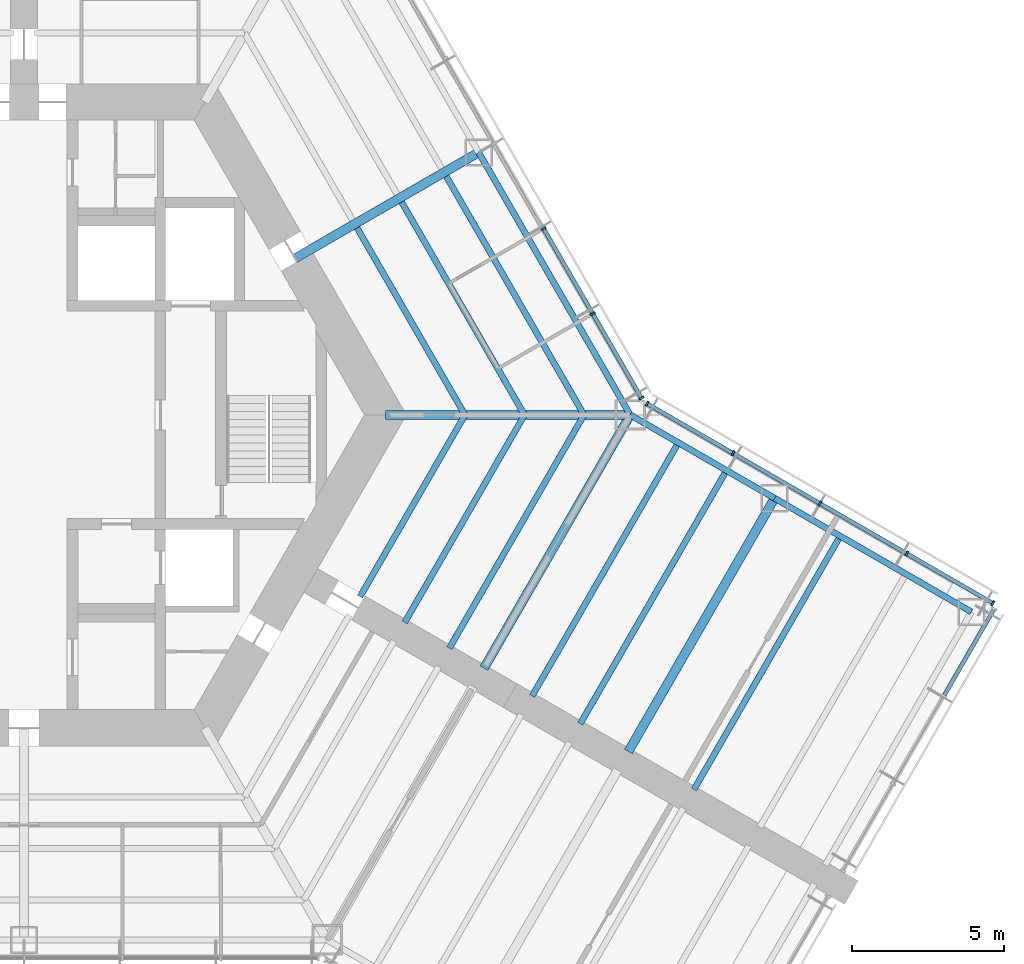
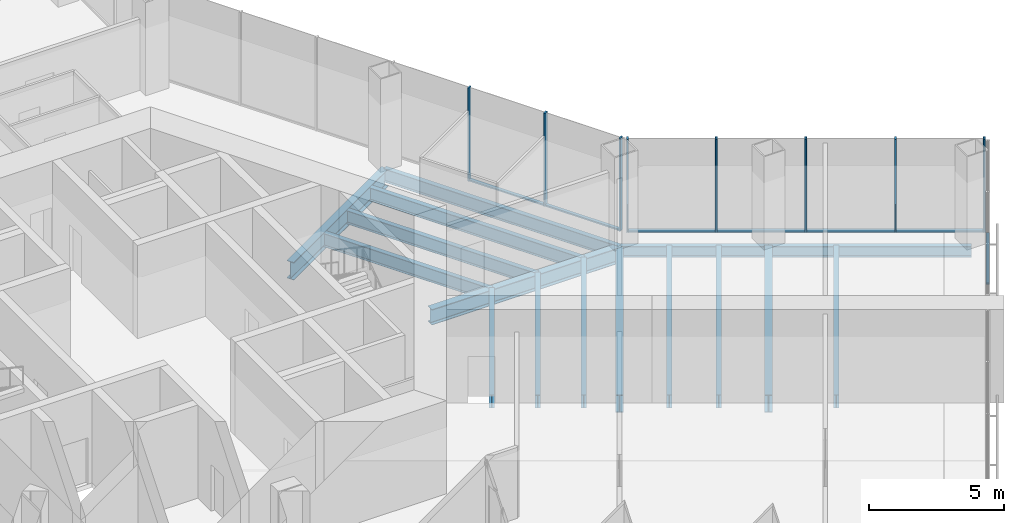
# One storey, part 5 of 16: 16 beams, 15 members, 3 elements without a shape of their own.
"""IFC4 building model written with IfcOpenShell, lengths in metres."""

from ifc_helpers import new_model, si_unit, direction, frame, origin, origin_2d, place, context, subcontext, project, spatial, rectangle, i_section, extrude, material, material_profile, profile_set, type_object, element, aggregate, save


model = new_model("IFC4")

# Units and contexts
model_context = context("Model", 3, precision=1e-05, world=origin(), true_north=direction((0.0, 1.0)))
body_context = subcontext(model_context, "Body", "Model", "MODEL_VIEW")
ifc_project = project(units=[si_unit("LENGTHUNIT", "METRE"), si_unit("AREAUNIT", "SQUARE_METRE"), si_unit("VOLUMEUNIT", "CUBIC_METRE"), si_unit("PLANEANGLEUNIT", "RADIAN"), si_unit("MASSUNIT", "GRAM", prefix="KILO")], contexts=[model_context])

# Site, building, storey
site_placement = place(None, origin())
site = spatial("IfcSite", under=ifc_project, at=site_placement, CompositionType="ELEMENT")
building_placement = place(site_placement, origin())
building = spatial("IfcBuilding", under=site, at=building_placement, Name="Kasaneha Research Tower", CompositionType="ELEMENT")
storey_placement = place(building_placement, frame((0.0, 0.0, 22.60009765625)))
storey = spatial("IfcBuildingStorey", under=building, at=storey_placement, Name="L06", CompositionType="ELEMENT", Elevation=22.60009765625)

# Beams
ifc_material_1 = material(Name="Steel SN490B", Category="steel")
ifc_material_profile_1 = material_profile(ifc_material_1, i_section(OverallWidth=0.199951171875, OverallDepth=0.60009765625, WebThickness=0.010986328125, FlangeThickness=0.01708984375, FilletRadius=0.012939453125, at=origin_2d()), Name="H-600x200x11x17")
ifc_profile_set_1 = profile_set([ifc_material_profile_1], Name="Steel SN490B")
beam_type_1 = type_object("IfcBeamType", Name="B1-1 secondary beam H-600x200x11x17", PredefinedType="JOIST", material=ifc_profile_set_1)
beam_1_placement = place(storey_placement, frame((14.54931640625, 0.0, -0.5), z_axis=(-0.500016104636, 0.866016105569, 0.0), x_axis=(-0.866016105569, -0.500016104636, 0.0)))
element("IfcBeam", 1, at=beam_1_placement, inside=storey, type_object=beam_type_1, Name="Secondary beam RS030L1 L06", PredefinedType="JOIST", context=body_context, shape_type="SweptSolid", body=[
    extrude(i_section(OverallWidth=0.199951171875, OverallDepth=0.60009765625, WebThickness=0.010986328125, FlangeThickness=0.01708984375, FilletRadius=0.012939453125, at=origin_2d()), origin(), (0.0, 0.0, 1.0), 7.124755859375),
])
beam_2_placement = place(storey_placement, frame((16.51220703125, 0.0, -0.5), z_axis=(-0.49999707157, 0.866027094508, 0.0), x_axis=(-0.866027094508, -0.49999707157, 0.0)))
element("IfcBeam", 2, at=beam_2_placement, inside=storey, type_object=beam_type_1, Name="Secondary beam RS030L2 L06", PredefinedType="JOIST", context=body_context, shape_type="SweptSolid", body=[
    extrude(i_section(OverallWidth=0.199951171875, OverallDepth=0.60009765625, WebThickness=0.010986328125, FlangeThickness=0.01708984375, FilletRadius=0.012939453125, at=origin_2d()), origin(), (0.0, 0.0, 1.0), 8.10595703125),
])
beam_3_placement = place(storey_placement, frame((18.47509765625, 0.0, -0.5), z_axis=(-0.499990665392, 0.866030793056, 0.0), x_axis=(-0.866030793056, -0.499990665392, 0.0)))
element("IfcBeam", 3, at=beam_3_placement, inside=storey, type_object=beam_type_1, Name="Secondary beam RS030L3 L06", PredefinedType="JOIST", context=body_context, shape_type="SweptSolid", body=[
    extrude(i_section(OverallWidth=0.199951171875, OverallDepth=0.60009765625, WebThickness=0.010986328125, FlangeThickness=0.01708984375, FilletRadius=0.012939453125, at=origin_2d()), origin(), (0.0, 0.0, 1.0), 9.087646484375),
])
beam_4_placement = place(storey_placement, frame((14.54931640625, 0.0, -0.5), z_axis=(-0.500014420154, -0.866017078145, 0.0), x_axis=(0.866017078145, -0.500014420154, 0.0)))
element("IfcBeam", 4, at=beam_4_placement, inside=storey, type_object=beam_type_1, Name="Secondary beam RS330R1 L06", PredefinedType="JOIST", context=body_context, shape_type="SweptSolid", body=[
    extrude(i_section(OverallWidth=0.199951171875, OverallDepth=0.60009765625, WebThickness=0.010986328125, FlangeThickness=0.01708984375, FilletRadius=0.012939453125, at=origin_2d()), origin(), (0.0, 0.0, 1.0), 6.924560546875),
])
beam_5_placement = place(storey_placement, frame((16.51220703125, 0.0, -0.5), z_axis=(-0.500004902938, -0.866022573054, 0.0), x_axis=(0.866022573054, -0.500004902938, 0.0)))
element("IfcBeam", 5, at=beam_5_placement, inside=storey, type_object=beam_type_1, Name="Secondary beam RS330R2 L06", PredefinedType="JOIST", context=body_context, shape_type="SweptSolid", body=[
    extrude(i_section(OverallWidth=0.199951171875, OverallDepth=0.60009765625, WebThickness=0.010986328125, FlangeThickness=0.01708984375, FilletRadius=0.012939453125, at=origin_2d()), origin(), (0.0, 0.0, 1.0), 7.90625),
])
beam_6_placement = place(storey_placement, frame((18.47509765625, 0.0, -0.5), z_axis=(-0.499988779951, -0.866031881586, 0.0), x_axis=(0.866031881586, -0.499988779951, 0.0)))
element("IfcBeam", 6, at=beam_6_placement, inside=storey, type_object=beam_type_1, Name="Secondary beam RS330R3 L06", PredefinedType="JOIST", context=body_context, shape_type="SweptSolid", body=[
    extrude(i_section(OverallWidth=0.199951171875, OverallDepth=0.60009765625, WebThickness=0.010986328125, FlangeThickness=0.01708984375, FilletRadius=0.012939453125, at=origin_2d()), origin(), (0.0, 0.0, 1.0), 8.887451171875),
])
ifc_material_2 = material(Name="Steel SN490B", Category="steel")
ifc_material_profile_2 = material_profile(ifc_material_2, i_section(OverallWidth=0.198974609375, OverallDepth=0.595947265625, WebThickness=0.010009765625, FlangeThickness=0.014892578125, FilletRadius=0.012939453125, at=origin_2d()), Name="H-596x199x10x15")
ifc_profile_set_2 = profile_set([ifc_material_profile_2], Name="Steel SN490B")
beam_type_2 = type_object("IfcBeamType", Name="B2-1 secondary beam H-596x199x10x15", PredefinedType="JOIST", material=ifc_profile_set_2)
beam_7_placement = place(storey_placement, frame((21.587646484375, -0.916748046875, -0.498046875), z_axis=(-0.499994742786, -0.866028439017, 0.0), x_axis=(0.866028439017, -0.499994742786, 0.0)))
element("IfcBeam", 7, at=beam_7_placement, inside=storey, type_object=beam_type_2, Name="Secondary beam WBCN1 L06", PredefinedType="JOIST", context=body_context, shape_type="SweptSolid", body=[
    extrude(i_section(OverallWidth=0.198974609375, OverallDepth=0.595947265625, WebThickness=0.010009765625, FlangeThickness=0.014892578125, FilletRadius=0.012939453125, at=origin_2d()), origin(), (0.0, 0.0, 1.0), 9.64990234375),
])
beam_8_placement = place(storey_placement, frame((23.175537109375, -1.833251953125, -0.498046875), z_axis=(-0.500013717211, -0.866017484004, 0.0), x_axis=(0.866017484004, -0.500013717211, 0.0)))
element("IfcBeam", 8, at=beam_8_placement, inside=storey, type_object=beam_type_2, Name="Secondary beam WBCN2 L06", PredefinedType="JOIST", context=body_context, shape_type="SweptSolid", body=[
    extrude(i_section(OverallWidth=0.198974609375, OverallDepth=0.595947265625, WebThickness=0.010009765625, FlangeThickness=0.014892578125, FilletRadius=0.012939453125, at=origin_2d()), origin(), (0.0, 0.0, 1.0), 9.650146484375),
])
beam_9_placement = place(storey_placement, frame((26.92822265625, -4.0, -0.498046875), z_axis=(-0.499994742786, -0.866028439017, 0.0), x_axis=(0.866028439017, -0.499994742786, 0.0)))
element("IfcBeam", 9, at=beam_9_placement, inside=storey, type_object=beam_type_2, Name="Secondary beam WBCN3 L06", PredefinedType="JOIST", context=body_context, shape_type="SweptSolid", body=[
    extrude(i_section(OverallWidth=0.198974609375, OverallDepth=0.595947265625, WebThickness=0.010009765625, FlangeThickness=0.014892578125, FilletRadius=0.012939453125, at=origin_2d()), origin(), (0.0, 0.0, 1.0), 9.64990234375),
])

# Curtain wall, members
ifc_material_3 = material(Name="Glass and aluminium", Category="aluminium")
curtain_wall_type = type_object("IfcCurtainWallType", Name="Wet laboratory curtain wall", PredefinedType="USERDEFINED", material=ifc_material_3)
curtain_wall_1_placement = place(storey_placement, origin())
curtain_wall_1 = element("IfcCurtainWall", 10, at=curtain_wall_1_placement, inside=storey, type_object=curtain_wall_type, Name="CW-L1 L06 run 06a", ObjectType="UNITISED CURTAIN WALL", PredefinedType="USERDEFINED")
ifc_material_4 = material(Name="Aluminium 6063-T6", Category="aluminium")
ifc_material_profile_3 = material_profile(ifc_material_4, rectangle(XDim=0.06494140625, YDim=0.179931640625, at=origin_2d()), Name="CW-L1 mullion 65x180")
ifc_profile_set_3 = profile_set([ifc_material_profile_3], Name="Aluminium 6063-T6")
member_type_1 = type_object("IfcMemberType", Name="CW-L1 mullion", PredefinedType="MULLION", material=ifc_profile_set_3)
member_1_placement = place(storey_placement, frame((31.963134765625, -6.214111328125, 0.0), z_axis=(0.0, 0.0, 1.0), x_axis=(-0.866025411464, 0.499999986699, 0.0)))
member_1 = element("IfcMember", 11, at=member_1_placement, type_object=member_type_1, Name="CW-L1 mullion 1", PredefinedType="MULLION", context=body_context, shape_type="SweptSolid", body=[
    extrude(rectangle(XDim=0.06494140625, YDim=0.179931640625, at=origin_2d()), origin(), (0.0, 0.0, 1.0), 4.199951171875),
])
member_2_placement = place(storey_placement, frame((29.125, -4.575439453125, 0.0), z_axis=(0.0, 0.0, 1.0), x_axis=(-0.866025411464, 0.499999986699, 0.0)))
member_2 = element("IfcMember", 12, at=member_2_placement, type_object=member_type_1, Name="CW-L1 mullion 2", PredefinedType="MULLION", context=body_context, shape_type="SweptSolid", body=[
    extrude(rectangle(XDim=0.06494140625, YDim=0.179931640625, at=origin_2d()), origin(), (0.0, 0.0, 1.0), 4.199951171875),
])
member_3_placement = place(storey_placement, frame((26.258544921875, -2.920654296875, 0.0), z_axis=(0.0, 0.0, 1.0), x_axis=(-0.866025411464, 0.499999986699, 0.0)))
member_3 = element("IfcMember", 13, at=member_3_placement, type_object=member_type_1, Name="CW-L1 mullion 3", PredefinedType="MULLION", context=body_context, shape_type="SweptSolid", body=[
    extrude(rectangle(XDim=0.06494140625, YDim=0.179931640625, at=origin_2d()), origin(), (0.0, 0.0, 1.0), 4.199951171875),
])
member_4_placement = place(storey_placement, frame((23.39208984375, -1.265625, 0.0), z_axis=(0.0, 0.0, 1.0), x_axis=(-0.866025411464, 0.499999986699, 0.0)))
member_4 = element("IfcMember", 14, at=member_4_placement, type_object=member_type_1, Name="CW-L1 mullion 4", PredefinedType="MULLION", context=body_context, shape_type="SweptSolid", body=[
    extrude(rectangle(XDim=0.06494140625, YDim=0.179931640625, at=origin_2d()), origin(), (0.0, 0.0, 1.0), 4.199951171875),
])
member_5_placement = place(storey_placement, frame((20.553955078125, 0.373046875, 0.0), z_axis=(0.0, 0.0, 1.0), x_axis=(-0.866025411464, 0.499999986699, 0.0)))
member_5 = element("IfcMember", 15, at=member_5_placement, type_object=member_type_1, Name="CW-L1 mullion 5", PredefinedType="MULLION", context=body_context, shape_type="SweptSolid", body=[
    extrude(rectangle(XDim=0.06494140625, YDim=0.179931640625, at=origin_2d()), origin(), (0.0, 0.0, 1.0), 4.199951171875),
])

curtain_wall_2_placement = place(storey_placement, origin())
curtain_wall_2 = element("IfcCurtainWall", 16, at=curtain_wall_2_placement, inside=storey, type_object=curtain_wall_type, Name="CW-L1 L06 run 07a", ObjectType="UNITISED CURTAIN WALL", PredefinedType="USERDEFINED")
member_6_placement = place(storey_placement, frame((20.373046875, 0.553955078125, 0.0), z_axis=(0.0, 0.0, 1.0), x_axis=(-0.49999996188, 0.866025425793, 0.0)))
member_6 = element("IfcMember", 17, at=member_6_placement, type_object=member_type_1, Name="CW-L1 mullion 1", PredefinedType="MULLION", context=body_context, shape_type="SweptSolid", body=[
    extrude(rectangle(XDim=0.06494140625, YDim=0.179931640625, at=origin_2d()), origin(), (0.0, 0.0, 1.0), 4.199951171875),
])
member_7_placement = place(storey_placement, frame((18.76611328125, 3.33740234375, 0.0), z_axis=(0.0, 0.0, 1.0), x_axis=(-0.49999996188, 0.866025425793, 0.0)))
member_7 = element("IfcMember", 18, at=member_7_placement, type_object=member_type_1, Name="CW-L1 mullion 2", PredefinedType="MULLION", context=body_context, shape_type="SweptSolid", body=[
    extrude(rectangle(XDim=0.06494140625, YDim=0.179931640625, at=origin_2d()), origin(), (0.0, 0.0, 1.0), 4.199951171875),
])
member_8_placement = place(storey_placement, frame((17.142822265625, 6.148681640625, 0.0), z_axis=(0.0, 0.0, 1.0), x_axis=(-0.49999996188, 0.866025425793, 0.0)))
member_8 = element("IfcMember", 19, at=member_8_placement, type_object=member_type_1, Name="CW-L1 mullion 3", PredefinedType="MULLION", context=body_context, shape_type="SweptSolid", body=[
    extrude(rectangle(XDim=0.06494140625, YDim=0.179931640625, at=origin_2d()), origin(), (0.0, 0.0, 1.0), 4.199951171875),
])

# Curtain wall, member
curtain_wall_3_placement = place(storey_placement, origin())
curtain_wall_3 = element("IfcCurtainWall", 20, at=curtain_wall_3_placement, inside=storey, type_object=curtain_wall_type, Name="CW-L1 L06 run 05a", ObjectType="UNITISED CURTAIN WALL", PredefinedType="USERDEFINED")
ifc_material_5 = material(Name="Aluminium 6063-T6", Category="aluminium")
ifc_material_profile_4 = material_profile(ifc_material_5, rectangle(XDim=0.139892578125, YDim=0.06494140625, at=origin_2d()), Name="CW-L1 transom 140x65")
ifc_profile_set_4 = profile_set([ifc_material_profile_4], Name="Aluminium 6063-T6")
member_type_2 = type_object("IfcMemberType", Name="CW-L1 transom", PredefinedType="USERDEFINED", material=ifc_profile_set_4)
member_9_placement = place(storey_placement, frame((30.369140625, -9.239990234375, 0.032470703125), z_axis=(0.500006189695, 0.866021830133, 0.0), x_axis=(-0.866021830133, 0.500006189695, 0.0)))
member_9 = element("IfcMember", 21, at=member_9_placement, type_object=member_type_2, Name="CW-L1 transom 3", ObjectType="TRANSOM", PredefinedType="USERDEFINED", context=body_context, shape_type="SweptSolid", body=[
    extrude(rectangle(XDim=0.139892578125, YDim=0.06494140625, at=origin_2d()), origin(), (0.0, 0.0, 1.0), 3.25244140625),
])
aggregate(curtain_wall_3, [member_9])

# Member
member_10_placement = place(storey_placement, frame((31.93505859375, -6.197998046875, 0.032470703125), z_axis=(-0.866022320763, 0.500005339912, 0.0), x_axis=(-0.500005339912, -0.866022320763, 0.0)))
member_10 = element("IfcMember", 22, at=member_10_placement, type_object=member_type_2, Name="CW-L1 transom 1", ObjectType="TRANSOM", PredefinedType="USERDEFINED", context=body_context, shape_type="SweptSolid", body=[
    extrude(rectangle(XDim=0.139892578125, YDim=0.06494140625, at=origin_2d()), origin(), (0.0, 0.0, 1.0), 3.21240234375),
])

member_11_placement = place(storey_placement, frame((29.096923828125, -4.559326171875, 0.032470703125), z_axis=(-0.866021460221, 0.500006830391, 0.0), x_axis=(-0.500006830391, -0.866021460221, 0.0)))
member_11 = element("IfcMember", 23, at=member_11_placement, type_object=member_type_2, Name="CW-L1 transom 2", ObjectType="TRANSOM", PredefinedType="USERDEFINED", context=body_context, shape_type="SweptSolid", body=[
    extrude(rectangle(XDim=0.139892578125, YDim=0.06494140625, at=origin_2d()), origin(), (0.0, 0.0, 1.0), 3.2451171875),
])

member_12_placement = place(storey_placement, frame((26.23046875, -2.904296875, 0.032470703125), z_axis=(-0.866035229914, 0.499982980259, 0.0), x_axis=(-0.499982980259, -0.866035229914, 0.0)))
member_12 = element("IfcMember", 24, at=member_12_placement, type_object=member_type_2, Name="CW-L1 transom 3", ObjectType="TRANSOM", PredefinedType="USERDEFINED", context=body_context, shape_type="SweptSolid", body=[
    extrude(rectangle(XDim=0.139892578125, YDim=0.06494140625, at=origin_2d()), origin(), (0.0, 0.0, 1.0), 3.24462890625),
])

member_13_placement = place(storey_placement, frame((23.364013671875, -1.24951171875, 0.032470703125), z_axis=(-0.866022320763, 0.500005339912, 0.0), x_axis=(-0.500005339912, -0.866022320763, 0.0)))
member_13 = element("IfcMember", 25, at=member_13_placement, type_object=member_type_2, Name="CW-L1 transom 4", ObjectType="TRANSOM", PredefinedType="USERDEFINED", context=body_context, shape_type="SweptSolid", body=[
    extrude(rectangle(XDim=0.139892578125, YDim=0.06494140625, at=origin_2d()), origin(), (0.0, 0.0, 1.0), 3.21240234375),
])

aggregate(curtain_wall_1, [member_1, member_2, member_3, member_4, member_5, member_10, member_11, member_12, member_13])

member_14_placement = place(storey_placement, frame((20.356689453125, 0.58203125, 0.032470703125), z_axis=(-0.49999985423, 0.866025487945, 0.0), x_axis=(-0.866025487945, -0.49999985423, 0.0)))
member_14 = element("IfcMember", 26, at=member_14_placement, type_object=member_type_2, Name="CW-L1 transom 1", ObjectType="TRANSOM", PredefinedType="USERDEFINED", context=body_context, shape_type="SweptSolid", body=[
    extrude(rectangle(XDim=0.139892578125, YDim=0.06494140625, at=origin_2d()), origin(), (0.0, 0.0, 1.0), 3.14892578125),
])

member_15_placement = place(storey_placement, frame((18.749755859375, 3.365478515625, 0.032470703125), z_axis=(-0.499977104415, 0.866038622153, 0.0), x_axis=(-0.866038622153, -0.499977104415, 0.0)))
member_15 = element("IfcMember", 27, at=member_15_placement, type_object=member_type_2, Name="CW-L1 transom 2", ObjectType="TRANSOM", PredefinedType="USERDEFINED", context=body_context, shape_type="SweptSolid", body=[
    extrude(rectangle(XDim=0.139892578125, YDim=0.06494140625, at=origin_2d()), origin(), (0.0, 0.0, 1.0), 3.181396484375),
])

aggregate(curtain_wall_2, [member_6, member_7, member_8, member_14, member_15])

# Beams
ifc_material_6 = material(Name="Steel SN490B", Category="steel")
ifc_material_profile_5 = material_profile(ifc_material_6, i_section(OverallWidth=0.300048828125, OverallDepth=0.699951171875, WebThickness=0.012939453125, FlangeThickness=0.02392578125, FilletRadius=0.01806640625, at=origin_2d()), Name="H-700x300x13x24")
ifc_profile_set_5 = profile_set([ifc_material_profile_5], Name="Steel SN490B")
beam_type_3 = type_object("IfcBeamType", Name="G1-1 radial girder H-700x300x13x24", PredefinedType="BEAM", material=ifc_profile_set_5)
beam_10_placement = place(storey_placement, frame((11.92236328125, 0.0, -0.550048828125), z_axis=(1.0, 0.0, 0.0), x_axis=(0.0, 1.0, 0.0)))
element("IfcBeam", 28, at=beam_10_placement, inside=storey, type_object=beam_type_3, Name="Radial girder RV000 L06", PredefinedType="BEAM", context=body_context, shape_type="SweptSolid", body=[
    extrude(i_section(OverallWidth=0.300048828125, OverallDepth=0.699951171875, WebThickness=0.012939453125, FlangeThickness=0.02392578125, FilletRadius=0.01806640625, at=origin_2d()), origin(), (0.0, 0.0, 1.0), 8.07763671875),
])
ifc_material_7 = material(Name="Steel SN490B", Category="steel")
ifc_material_profile_6 = material_profile(ifc_material_7, i_section(OverallWidth=0.300048828125, OverallDepth=0.800048828125, WebThickness=0.013916015625, FlangeThickness=0.02587890625, FilletRadius=0.01806640625, at=origin_2d()), Name="H-800x300x14x26")
ifc_profile_set_6 = profile_set([ifc_material_profile_6], Name="Steel SN490B")
beam_type_4 = type_object("IfcBeamType", Name="G2-1 radial girder H-800x300x14x26", PredefinedType="BEAM", material=ifc_profile_set_6)
beam_11_placement = place(storey_placement, frame((8.941650390625, 5.16259765625, -0.60009765625), z_axis=(0.866039713508, 0.499975214012, 0.0), x_axis=(-0.499975214012, 0.866039713508, 0.0)))
element("IfcBeam", 29, at=beam_11_placement, inside=storey, type_object=beam_type_4, Name="Radial girder RM030 L06", PredefinedType="BEAM", context=body_context, shape_type="SweptSolid", body=[
    extrude(i_section(OverallWidth=0.300048828125, OverallDepth=0.800048828125, WebThickness=0.013916015625, FlangeThickness=0.02587890625, FilletRadius=0.01806640625, at=origin_2d()), origin(), (0.0, 0.0, 1.0), 6.995361328125),
])
ifc_material_8 = material(Name="Steel SN490B", Category="steel")
ifc_material_profile_7 = material_profile(ifc_material_8, i_section(OverallWidth=0.300048828125, OverallDepth=0.7919921875, WebThickness=0.013916015625, FlangeThickness=0.02197265625, FilletRadius=0.01806640625, at=origin_2d()), Name="H-792x300x14x22")
ifc_profile_set_7 = profile_set([ifc_material_profile_7], Name="Steel SN490B")
beam_type_5 = type_object("IfcBeamType", Name="G3-1 plate edge girder H-792x300x14x22", PredefinedType="BEAM", material=ifc_profile_set_7)
beam_12_placement = place(storey_placement, frame((20.0, 0.0, -0.59619140625), z_axis=(-0.499994742786, -0.866028439017, 0.0), x_axis=(0.866028439017, -0.499994742786, 0.0)))
element("IfcBeam", 30, at=beam_12_placement, inside=storey, type_object=beam_type_5, Name="Plate edge girder PECN L06", PredefinedType="BEAM", context=body_context, shape_type="SweptSolid", body=[
    extrude(i_section(OverallWidth=0.300048828125, OverallDepth=0.7919921875, WebThickness=0.013916015625, FlangeThickness=0.02197265625, FilletRadius=0.01806640625, at=origin_2d()), origin(), (0.0, 0.0, 1.0), 9.64990234375),
])
ifc_material_9 = material(Name="Steel SN490B", Category="steel")
ifc_material_profile_8 = material_profile(ifc_material_9, i_section(OverallWidth=0.300048828125, OverallDepth=0.800048828125, WebThickness=0.013916015625, FlangeThickness=0.02587890625, FilletRadius=0.01806640625, at=origin_2d()), Name="H-800x300x14x26")
ifc_profile_set_8 = profile_set([ifc_material_profile_8], Name="Steel SN490B")
beam_type_6 = type_object("IfcBeamType", Name="G4-1 wing girder H-800x300x14x26", PredefinedType="BEAM", material=ifc_profile_set_8)
beam_13_placement = place(storey_placement, frame((24.76318359375, -2.75, -0.60009765625), z_axis=(-0.499994742786, -0.866028439017, 0.0), x_axis=(0.866028439017, -0.499994742786, 0.0)))
element("IfcBeam", 31, at=beam_13_placement, inside=storey, type_object=beam_type_6, Name="Wing girder WGCN L06", PredefinedType="BEAM", context=body_context, shape_type="SweptSolid", body=[
    extrude(i_section(OverallWidth=0.300048828125, OverallDepth=0.800048828125, WebThickness=0.013916015625, FlangeThickness=0.02587890625, FilletRadius=0.01806640625, at=origin_2d()), origin(), (0.0, 0.0, 1.0), 9.64990234375),
])
ifc_material_10 = material(Name="Steel SN490B", Category="steel")
ifc_material_profile_9 = material_profile(ifc_material_10, i_section(OverallWidth=0.199951171875, OverallDepth=0.60009765625, WebThickness=0.010986328125, FlangeThickness=0.01708984375, FilletRadius=0.012939453125, at=origin_2d()), Name="H-600x200x11x17")
ifc_profile_set_9 = profile_set([ifc_material_profile_9], Name="Steel SN490B")
beam_type_7 = type_object("IfcBeamType", Name="SB1-1 spandrel beam H-600x200x11x17", PredefinedType="SPANDREL", material=ifc_profile_set_9)
beam_14_placement = place(storey_placement, frame((20.0, 0.0, -0.5), z_axis=(-0.500004234368, 0.866022959057, 0.0), x_axis=(-0.866022959057, -0.500004234368, 0.0)))
element("IfcBeam", 32, at=beam_14_placement, inside=storey, type_object=beam_type_7, Name="Spandrel beam SR030L L06", PredefinedType="SPANDREL", context=body_context, shape_type="SweptSolid", body=[
    extrude(i_section(OverallWidth=0.199951171875, OverallDepth=0.60009765625, WebThickness=0.010986328125, FlangeThickness=0.01708984375, FilletRadius=0.012939453125, at=origin_2d()), origin(), (0.0, 0.0, 1.0), 10.0),
])
ifc_material_11 = material(Name="Steel SN490B", Category="steel")
ifc_material_profile_10 = material_profile(ifc_material_11, i_section(OverallWidth=0.199951171875, OverallDepth=0.5, WebThickness=0.010009765625, FlangeThickness=0.01611328125, FilletRadius=0.012939453125, at=origin_2d()), Name="H-500x200x10x16")
ifc_profile_set_10 = profile_set([ifc_material_profile_10], Name="Steel SN490B")
beam_type_8 = type_object("IfcBeamType", Name="SB2-1 spandrel beam H-500x200x10x16", PredefinedType="SPANDREL", material=ifc_profile_set_10)
beam_15_placement = place(storey_placement, frame((20.0, 0.0, -0.4501953125), z_axis=(0.866027397988, -0.499996545922, 0.0), x_axis=(0.499996545922, 0.866027397988, 0.0)))
element("IfcBeam", 33, at=beam_15_placement, inside=storey, type_object=beam_type_8, Name="Spandrel beam WSCN1 L06", PredefinedType="SPANDREL", context=body_context, shape_type="SweptSolid", body=[
    extrude(i_section(OverallWidth=0.199951171875, OverallDepth=0.5, WebThickness=0.010009765625, FlangeThickness=0.01611328125, FilletRadius=0.012939453125, at=origin_2d()), origin(), (0.0, 0.0, 1.0), 5.5),
])
beam_16_placement = place(storey_placement, frame((24.76318359375, -2.75, -0.4501953125), z_axis=(0.866022959057, -0.500004234368, 0.0), x_axis=(0.500004234368, 0.866022959057, 0.0)))
element("IfcBeam", 34, at=beam_16_placement, inside=storey, type_object=beam_type_8, Name="Spandrel beam WSCN2 L06", PredefinedType="SPANDREL", context=body_context, shape_type="SweptSolid", body=[
    extrude(i_section(OverallWidth=0.199951171875, OverallDepth=0.5, WebThickness=0.010009765625, FlangeThickness=0.01611328125, FilletRadius=0.012939453125, at=origin_2d()), origin(), (0.0, 0.0, 1.0), 7.5),
])

save(model, "model.ifc")
